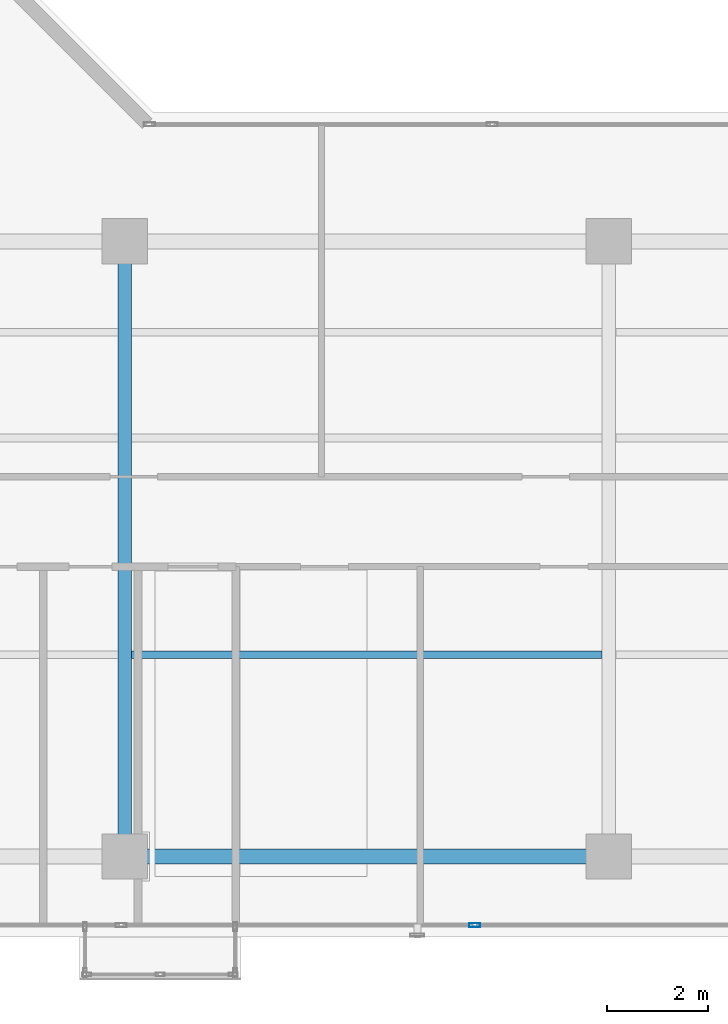
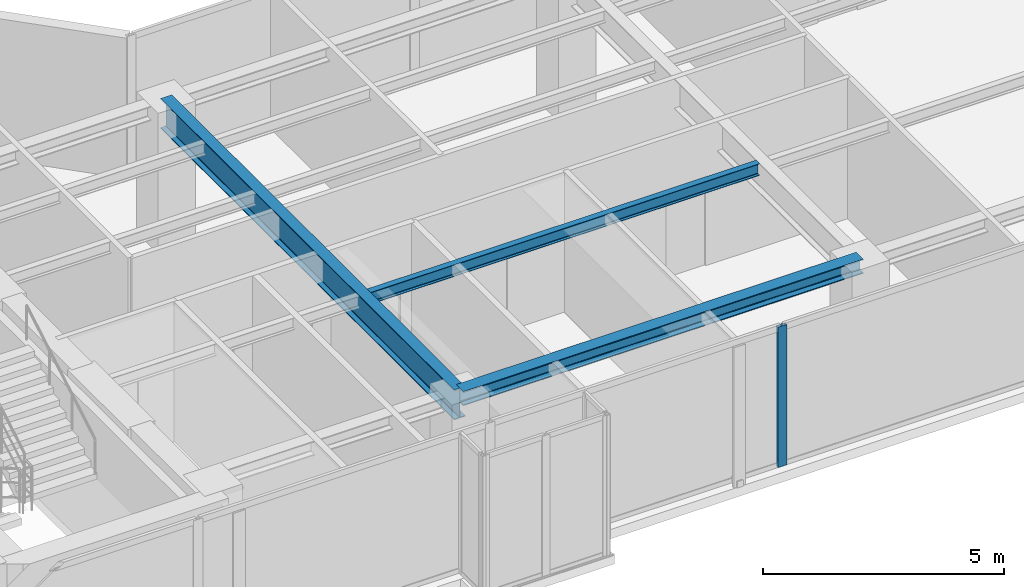
# One storey, part 5 of 22: 3 beams, 1 member, 1 element without a shape of its own.
"""IFC4 building model written with IfcOpenShell, lengths in metres."""

from ifc_helpers import new_model, si_unit, direction, frame, origin, origin_with_axes, origin_2d, place, context, subcontext, project, spatial, hollow_rectangle, i_section, extrude, source, transform, mapped, material, layer, layer_set, material_profile, profile_set, type_object, element, aggregate, save


model = new_model("IFC4")

# Units and contexts
model_context = context("Model", 3, precision=1e-05, world=origin(), true_north=direction((0.0, 1.0)))
body_context = subcontext(model_context, "Body", "Model", "MODEL_VIEW")
ifc_project = project(units=[si_unit("LENGTHUNIT", "METRE"), si_unit("AREAUNIT", "SQUARE_METRE"), si_unit("VOLUMEUNIT", "CUBIC_METRE"), si_unit("PLANEANGLEUNIT", "RADIAN"), si_unit("MASSUNIT", "GRAM", prefix="KILO")], contexts=[model_context])

# Site, building, storey
site_placement = place(None, origin())
site = spatial("IfcSite", under=ifc_project, at=site_placement, CompositionType="ELEMENT")
building_placement = place(site_placement, origin())
building = spatial("IfcBuilding", under=site, at=building_placement, Name="Kolvaren Waterfront Exchange", CompositionType="ELEMENT")
storey_placement = place(building_placement, frame((0.0, 0.0, 278.0)))
storey = spatial("IfcBuildingStorey", under=building, at=storey_placement, Name="L71", CompositionType="ELEMENT", Elevation=278.0)

# Beams
ifc_material_1 = material(Name="Steel S355", Category="steel")
ifc_material_profile_1 = material_profile(ifc_material_1, i_section(OverallWidth=0.300048828125, OverallDepth=0.360107421875, WebThickness=0.012451171875, FlangeThickness=0.0224609375, FilletRadius=0.027099609375, at=origin_2d()), Name="HEB360")
ifc_profile_set_1 = profile_set([ifc_material_profile_1], Name="Steel S355")
beam_type_1 = type_object("IfcBeamType", Name="STR-BM-HEB360", PredefinedType="SPANDREL", material=ifc_profile_set_1)
beam_1_placement = place(storey_placement, frame((27.199951171875, 5.199951171875, 3.3798828125), z_axis=(1.0, 0.0, 0.0), x_axis=(0.0, 1.0, 0.0)))
element("IfcBeam", 1, at=beam_1_placement, inside=storey, type_object=beam_type_1, Name="L71 east-arm spandrel S2", PredefinedType="SPANDREL", context=body_context, shape_type="SweptSolid", body=[
    extrude(i_section(OverallWidth=0.300048828125, OverallDepth=0.360107421875, WebThickness=0.012451171875, FlangeThickness=0.0224609375, FilletRadius=0.027099609375, at=origin_2d()), origin(), (0.0, 0.0, 1.0), 9.60009765625),
])
ifc_material_profile_2 = material_profile(ifc_material_1, i_section(OverallWidth=0.14990234375, OverallDepth=0.300048828125, WebThickness=0.007080078125, FlangeThickness=0.0107421875, FilletRadius=0.014892578125, at=origin_2d()), Name="IPE300")
ifc_profile_set_2 = profile_set([ifc_material_profile_2], Name="Steel S355")
beam_type_2 = type_object("IfcBeamType", Name="STR-BM-IPE300", PredefinedType="JOIST", material=ifc_profile_set_2)
beam_2_placement = place(storey_placement, frame((27.33544921875, 9.199951171875, 3.409912109375), z_axis=(1.0, 0.0, 0.0), x_axis=(0.0, 1.0, 0.0)))
element("IfcBeam", 2, at=beam_2_placement, inside=storey, type_object=beam_type_2, Name="L71 east-arm composite joist 2B", PredefinedType="JOIST", context=body_context, shape_type="SweptSolid", body=[
    extrude(i_section(OverallWidth=0.14990234375, OverallDepth=0.300048828125, WebThickness=0.007080078125, FlangeThickness=0.0107421875, FilletRadius=0.014892578125, at=origin_2d()), origin(), (0.0, 0.0, 1.0), 9.3291015625),
])
ifc_material_profile_3 = material_profile(ifc_material_1, i_section(OverallWidth=0.26708984375, OverallDepth=0.761962890625, WebThickness=0.014404296875, FlangeThickness=0.021484375, FilletRadius=0.01708984375, at=origin_2d()), Name="IPE750x173")
ifc_profile_set_3 = profile_set([ifc_material_profile_3], Name="Steel S355")
beam_type_3 = type_object("IfcBeamType", Name="STR-BM-IPE750", PredefinedType="BEAM", material=ifc_profile_set_3)
beam_3_placement = place(storey_placement, frame((27.199951171875, 5.199951171875, 3.178955078125), z_axis=(0.0, 1.0, 0.0), x_axis=(-1.0, 0.0, 0.0)))
element("IfcBeam", 3, at=beam_3_placement, inside=storey, type_object=beam_type_3, Name="L71 east-arm transverse girder X27", PredefinedType="BEAM", context=body_context, shape_type="SweptSolid", body=[
    extrude(i_section(OverallWidth=0.26708984375, OverallDepth=0.761962890625, WebThickness=0.014404296875, FlangeThickness=0.021484375, FilletRadius=0.01708984375, at=origin_2d()), origin(), (0.0, 0.0, 1.0), 12.199951171875),
])

# Curtain wall, member
ifc_material_2 = material(Name="Anodised bronze aluminium 6063-T6", Category="aluminium")
ifc_layer = layer(ifc_material_2, 0.219970703125, Name="Anodised bronze aluminium 6063-T6")
ifc_layer_set = layer_set([ifc_layer], Name="Anodised bronze aluminium 6063-T6")
curtain_wall_type = type_object("IfcCurtainWallType", Name="ARC-CW-SYS1", PredefinedType="USERDEFINED", material=ifc_layer_set)
curtain_wall_placement = place(storey_placement, origin())
curtain_wall = element("IfcCurtainWall", 4, at=curtain_wall_placement, inside=storey, type_object=curtain_wall_type, Name="L71 stick curtain wall CW1 (CW-L71-S)", ObjectType="STICK CURTAIN WALL", PredefinedType="USERDEFINED")
ifc_material_3 = material(Name="Anodised aluminium 6063-T6", Category="aluminium")
ifc_material_profile_4 = material_profile(ifc_material_3, hollow_rectangle(XDim=0.080078125, YDim=0.219970703125, WallThickness=0.0048828125, at=origin_2d()), Name="ALU-MUL-220x80x5")
ifc_profile_set_4 = profile_set([ifc_material_profile_4], Name="Anodised aluminium 6063-T6")
member_type = type_object("IfcMemberType", Name="ARC-CWM-220", PredefinedType="MULLION", material=ifc_profile_set_4)
shared_shape = source(origin_with_axes(), body_context, "Body", "SweptSolid", [
    extrude(hollow_rectangle(XDim=0.080078125, YDim=0.219970703125, WallThickness=0.0048828125, at=origin_2d()), origin(), (0.0, 0.0, 1.0), 3.56005859375),
])
member_placement = place(storey_placement, frame((34.135009765625, 3.840087890625, 0.0), z_axis=(0.0, 0.0, 1.0), x_axis=(0.0, 1.0, 0.0)))
member = element("IfcMember", 5, at=member_placement, type_object=member_type, Name="CW1 mullion 5", PredefinedType="MULLION", context=body_context, shape_type="MappedRepresentation", body=[
    mapped(shared_shape, transform((0.0, 0.0, 0.0), x_axis=(1.0, 0.0, 0.0), y_axis=(0.0, 1.0, 0.0), z_axis=(0.0, 0.0, 1.0), scale=1.0)),
])
aggregate(curtain_wall, [member])

save(model, "model.ifc")
